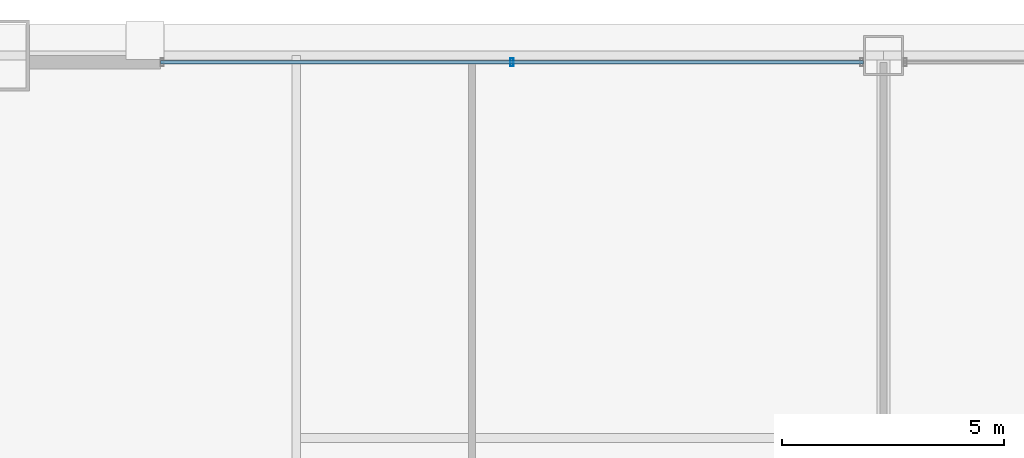
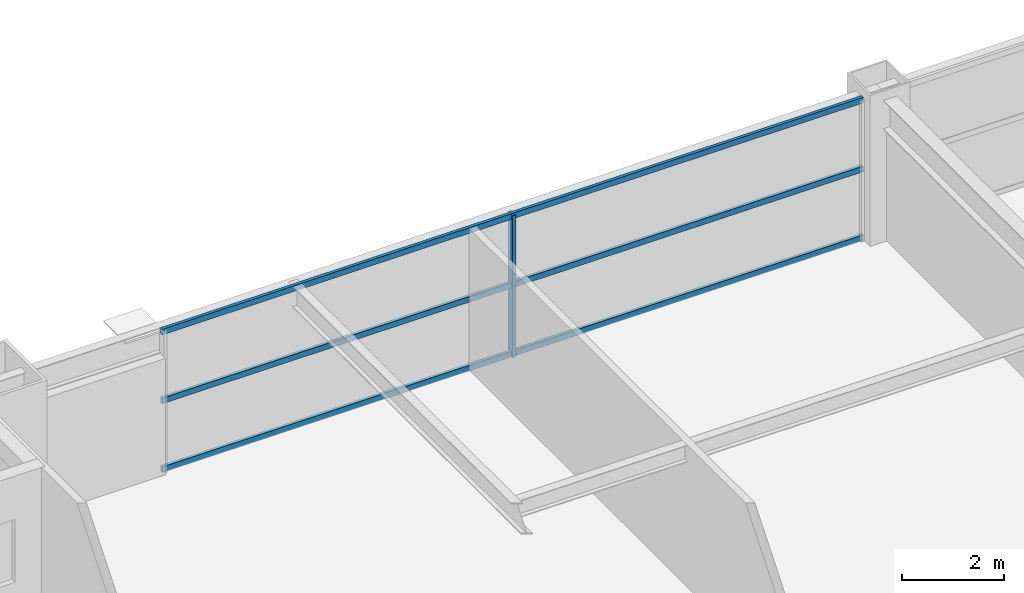
# One storey, part 24 of 37: 5 members, 1 element without a shape of its own.
"""IFC4 building model written with IfcOpenShell, lengths in metres."""

import ifcopenshell
import ifcopenshell.guid

model = None  # the IFC model being written
_history = None  # IfcOwnerHistory: only IFC2X3 demands one
_inside = {}  # id of a spatial element -> (the spatial element, [elements in it])
_under = {}  # id of a project, library or spatial element -> (it, [spatial elements below it])
_declared = {}  # id of a project -> (the project, [libraries it declares])
_typed = {}  # id of a type object -> (the type object, [elements of that type])
_made_of = {}  # id of a material, layer set ... -> (it, [elements and type objects made of it])


def new_model(schema):
    """Start an empty IFC model of exactly this schema.

    Asked for "IFC4X3", IfcOpenShell would pick the latest addendum, in which some entities
    have other attributes; the version numbers below select the first issue.
    IFC2X3 requires an IfcOwnerHistory on every rooted entity: one is made here for all.
    """
    global model, _history
    if schema == "IFC4X3":
        model = ifcopenshell.file(schema_version=(4, 3, 0, 0))
    else:
        model = ifcopenshell.file(schema=schema)
    _inside.clear()
    _under.clear()
    _declared.clear()
    _typed.clear()
    _made_of.clear()
    _history = None
    if model.schema == "IFC2X3":
        org = make("IfcOrganization", Name="unknown")
        user = make(
            "IfcPersonAndOrganization",
            ThePerson=make("IfcPerson", FamilyName="unknown"),
            TheOrganization=org,
        )
        app = make(
            "IfcApplication",
            ApplicationDeveloper=org,
            Version="unknown",
            ApplicationFullName="unknown",
            ApplicationIdentifier="unknown",
        )
        _history = make(
            "IfcOwnerHistory",
            OwningUser=user,
            OwningApplication=app,
            ChangeAction="ADDED",
            CreationDate=0,
        )
    return model


def make(cls, **values):
    """One entity of the class cls with the attributes given. An attribute that is None is left unset."""
    return model.create_entity(
        cls, **{name: value for name, value in values.items() if value is not None}
    )


def rooted(cls, **values):
    """An entity with a GlobalId (a new one), such as an element, a storey or a relation."""
    return make(cls, GlobalId=ifcopenshell.guid.new(), OwnerHistory=_history, **values)


def si_unit(unit_type, name, prefix=None):
    """IfcSIUnit, for example si_unit("LENGTHUNIT", "METRE", prefix="MILLI")."""
    return make("IfcSIUnit", UnitType=unit_type, Prefix=prefix, Name=name)


def assignment(units):
    """IfcUnitAssignment: the units of a project."""
    return None if units is None else make("IfcUnitAssignment", Units=units)


def point(xyz):
    """IfcCartesianPoint."""
    return None if xyz is None else make("IfcCartesianPoint", Coordinates=xyz)


def direction(xyz):
    """IfcDirection."""
    return None if xyz is None else make("IfcDirection", DirectionRatios=xyz)


def frame(location, z_axis=None, x_axis=None):
    """IfcAxis2Placement3D, a coordinate frame: its origin and axes. An axis left out is left unset."""
    return make(
        "IfcAxis2Placement3D",
        Location=point(location),
        Axis=direction(z_axis),
        RefDirection=direction(x_axis),
    )


def frame_2d(location, x_axis=None):
    """IfcAxis2Placement2D, a coordinate frame in the plane: its origin and x axis."""
    return make(
        "IfcAxis2Placement2D", Location=point(location), RefDirection=direction(x_axis)
    )


def origin():
    """The frame at (0, 0, 0) with its axes left unset."""
    return frame((0.0, 0.0, 0.0))


def origin_2d():
    """The frame at (0, 0) in the plane with its x axis left unset."""
    return frame_2d((0.0, 0.0))


def place(relative_to, where):
    """IfcLocalPlacement: puts the frame where relative to a parent placement (None: the world)."""
    return make(
        "IfcLocalPlacement", PlacementRelTo=relative_to, RelativePlacement=where
    )


def context(
    kind, dimensions, precision=None, world=None, true_north=None, identifier=None
):
    """IfcGeometricRepresentationContext, for example the 3D "Model" context."""
    return make(
        "IfcGeometricRepresentationContext",
        ContextIdentifier=identifier,
        ContextType=kind,
        CoordinateSpaceDimension=dimensions,
        Precision=precision,
        WorldCoordinateSystem=world,
        TrueNorth=true_north,
    )


def subcontext(parent, identifier, kind, view, scale=None):
    """IfcGeometricRepresentationSubContext, for example "Body" below "Model"."""
    return make(
        "IfcGeometricRepresentationSubContext",
        ContextIdentifier=identifier,
        ContextType=kind,
        ParentContext=parent,
        TargetScale=scale,
        TargetView=view,
    )


def project(units=None, contexts=None):
    """IfcProject with its units and contexts."""
    return rooted(
        "IfcProject",
        Name="project",
        RepresentationContexts=contexts,
        UnitsInContext=assignment(units),
    )


def spatial(cls, under=None, at=None, **own):
    """A site, building, storey or space (cls), placed at a placement, below another one or the project."""
    s = rooted(cls, ObjectPlacement=at, **own)
    if under is not None:
        _under.setdefault(under.id(), (under, []))[1].append(s)
    return s


def profile(cls, at=None, kind="AREA", **sizes):
    """A parametric profile (cls). Its sizes go by their IFC names, for example OverallWidth=200.0."""
    return make(cls, ProfileType=kind, Position=at, **sizes)


def hollow_rectangle(**sizes):
    """IfcRectangleHollowProfileDef."""
    return profile("IfcRectangleHollowProfileDef", **sizes)


def extrude(swept, where, along, depth):
    """IfcExtrudedAreaSolid: the profile swept, set in the frame where, extruded along a direction by depth."""
    return make(
        "IfcExtrudedAreaSolid",
        SweptArea=swept,
        Position=where,
        ExtrudedDirection=direction(along),
        Depth=depth,
    )


def shape(context_of_items, identifier, shape_type, items):
    """IfcShapeRepresentation: the items that make up one representation, for example the "Body"."""
    return make(
        "IfcShapeRepresentation",
        ContextOfItems=context_of_items,
        RepresentationIdentifier=identifier,
        RepresentationType=shape_type,
        Items=items,
    )


def source(mapping_origin, context_of_items, identifier, shape_type, items):
    """IfcRepresentationMap: a shape defined once, which mapped items show again and again."""
    return make(
        "IfcRepresentationMap",
        MappingOrigin=mapping_origin,
        MappedRepresentation=shape(context_of_items, identifier, shape_type, items),
    )


def transform(
    local_origin,
    x_axis=None,
    y_axis=None,
    z_axis=None,
    scale=None,
    scale2=None,
    scale3=None,
    uniform=True,
):
    """IfcCartesianTransformationOperator3D, or its non-uniform kind. x_axis, y_axis, z_axis: its Axis1, 2, 3."""
    if uniform:
        return make(
            "IfcCartesianTransformationOperator3D",
            Axis1=direction(x_axis),
            Axis2=direction(y_axis),
            LocalOrigin=point(local_origin),
            Scale=scale,
            Axis3=direction(z_axis),
        )
    return make(
        "IfcCartesianTransformationOperator3DnonUniform",
        Axis1=direction(x_axis),
        Axis2=direction(y_axis),
        LocalOrigin=point(local_origin),
        Scale=scale,
        Axis3=direction(z_axis),
        Scale2=scale2,
        Scale3=scale3,
    )


def mapped(mapping_source, mapping_target):
    """IfcMappedItem: shows the shape of a source again, moved by a transform."""
    return make(
        "IfcMappedItem", MappingSource=mapping_source, MappingTarget=mapping_target
    )


def material(Name=None, Category=None):
    """IfcMaterial."""
    return make("IfcMaterial", Name=Name, Category=Category)


def layer(
    of_material, thickness, ventilated=None, Name=None, Category=None, Priority=None
):
    """IfcMaterialLayer: one layer of a wall or slab, of a material (None: an air gap)."""
    return make(
        "IfcMaterialLayer",
        Material=of_material,
        LayerThickness=thickness,
        IsVentilated=ventilated,
        Name=Name,
        Category=Category,
        Priority=Priority,
    )


def layer_set(layers, Name=None):
    """IfcMaterialLayerSet."""
    return make("IfcMaterialLayerSet", MaterialLayers=layers, LayerSetName=Name)


def material_profile(
    of_material, cross_section, Name=None, Category=None, Priority=None
):
    """IfcMaterialProfile: a cross section and its material."""
    return make(
        "IfcMaterialProfile",
        Name=Name,
        Material=of_material,
        Profile=cross_section,
        Priority=Priority,
        Category=Category,
    )


def profile_set(profiles, Name=None, composite=None):
    """IfcMaterialProfileSet."""
    return make(
        "IfcMaterialProfileSet",
        Name=Name,
        MaterialProfiles=profiles,
        CompositeProfile=composite,
    )


def made_of(thing, what):
    """Note that an element or type object is made of a material, layer set ...; save() writes the relation."""
    if what is not None:
        _made_of.setdefault(what.id(), (what, []))[1].append(thing)
    return thing


def type_object(cls, material=None, **own):
    """A type object (cls), such as IfcWallType, which elements share."""
    return made_of(rooted(cls, **own), material)


def element(
    cls,
    number,
    at=None,
    inside=None,
    cuts=None,
    type_object=None,
    material=None,
    context=None,
    identifier="Body",
    shape_type=None,
    held_by="IfcProductDefinitionShape",
    body=None,
    shapes=None,
    **own,
):
    """One element of the class cls, such as IfcWall. Its Tag is "e" and its number.

    at: its placement. inside: the storey or other place that contains it. cuts: it is an
    opening in that element (IfcRelVoidsElement). A single representation is given by context,
    identifier, shape_type and body (its items); several are given by shapes. held_by: the class
    of the entity that holds the representations. save() writes the other relations.
    """
    e = rooted(cls, Tag="e%d" % number, ObjectPlacement=at, **own)
    if body is not None:
        shapes = [shape(context, identifier, shape_type, body)]
    if shapes is not None:
        e.Representation = make(held_by, Representations=shapes)
    if inside is not None:
        _inside.setdefault(inside.id(), (inside, []))[1].append(e)
    if cuts is not None:
        rooted(
            "IfcRelVoidsElement", RelatingBuildingElement=cuts, RelatedOpeningElement=e
        )
    if type_object is not None:
        _typed.setdefault(type_object.id(), (type_object, []))[1].append(e)
    return made_of(e, material)


def aggregate(whole, parts):
    """IfcRelAggregates: a whole, such as a stair, and the parts it consists of."""
    return rooted("IfcRelAggregates", RelatingObject=whole, RelatedObjects=parts)


def save(model, path):
    """Write the relations noted so far, then the file.

    IfcRelAggregates (storeys below a building ...), IfcRelContainedInSpatialStructure (elements
    in a storey), IfcRelDefinesByType, IfcRelAssociatesMaterial and IfcRelDeclares: one each for
    every whole, place, type object, material and project.
    """
    for whole, parts in _under.values():
        aggregate(whole, parts)
    for where, things in _inside.values():
        rooted(
            "IfcRelContainedInSpatialStructure",
            RelatedElements=things,
            RelatingStructure=where,
        )
    for kind, things in _typed.values():
        rooted("IfcRelDefinesByType", RelatedObjects=things, RelatingType=kind)
    for what, things in _made_of.values():
        rooted("IfcRelAssociatesMaterial", RelatedObjects=things, RelatingMaterial=what)
    for by, libraries in _declared.values():
        rooted("IfcRelDeclares", RelatingContext=by, RelatedDefinitions=libraries)
    model.write(path)


model = new_model("IFC4")

# Units and contexts
model_context = context("Model", 3, precision=1e-05, world=origin(), true_north=direction((0.0, 1.0)))
body_context = subcontext(model_context, "Body", "Model", "MODEL_VIEW")
ifc_project = project(units=[si_unit("LENGTHUNIT", "METRE"), si_unit("AREAUNIT", "SQUARE_METRE"), si_unit("VOLUMEUNIT", "CUBIC_METRE"), si_unit("PLANEANGLEUNIT", "RADIAN"), si_unit("MASSUNIT", "GRAM", prefix="KILO"), si_unit("THERMODYNAMICTEMPERATUREUNIT", "KELVIN"), si_unit("POWERUNIT", "WATT")], contexts=[model_context])

# Site, building, storey
site_placement = place(None, origin())
site = spatial("IfcSite", under=ifc_project, at=site_placement, CompositionType="ELEMENT")
building_placement = place(site_placement, origin())
building = spatial("IfcBuilding", under=site, at=building_placement, Name="Yuzanri Waterfront Tower", CompositionType="ELEMENT")
storey_placement = place(building_placement, frame((0.0, 0.0, 104.60009765625)))
storey = spatial("IfcBuildingStorey", under=building, at=storey_placement, Name="L27", CompositionType="ELEMENT", Elevation=104.60009765625)

# Curtain wall, members
ifc_material_1 = material(Name="Anodized Architectural Bronze", Category="metal")
ifc_layer = layer(ifc_material_1, 0.159912109375)
ifc_layer_set = layer_set([ifc_layer], Name="Anodized Architectural Bronze")
curtain_wall_type = type_object("IfcCurtainWallType", Name="Anodized Bronze Hotel Upper-Tier Solar-Control Unitized Curtain Wall 7800", PredefinedType="NOTDEFINED", material=ifc_layer_set)
curtain_wall_placement = place(storey_placement, origin())
curtain_wall = element("IfcCurtainWall", 1, at=curtain_wall_placement, inside=storey, type_object=curtain_wall_type, Name="L27 Curtain Wall CW-L27-NL", PredefinedType="NOTDEFINED")
ifc_material_2 = material(Name="Anodized Architectural Bronze", Category="metal")
ifc_material_profile_1 = material_profile(ifc_material_2, hollow_rectangle(XDim=0.070068359375, YDim=0.179931640625, WallThickness=0.00390625, at=origin_2d()), Name="CWM 70x180")
ifc_profile_set_1 = profile_set([ifc_material_profile_1], Name="Anodized Architectural Bronze")
member_type_1 = type_object("IfcMemberType", Name="Anodized Bronze Standard Curtain-Wall Mullion 70x180", PredefinedType="MULLION", material=ifc_profile_set_1)
shared_shape_1 = source(origin(), body_context, "Body", "SweptSolid", [
    extrude(hollow_rectangle(XDim=0.070068359375, YDim=0.179931640625, WallThickness=0.00390625, at=origin_2d()), origin(), (0.0, 0.0, 1.0), 1.68798828125),
])
member_1_placement = place(storey_placement, frame((28.64990234375, 49.25, 0.0), z_axis=(0.0, 0.0, 1.0), x_axis=(1.0, 0.0, 0.0)))
member_1 = element("IfcMember", 2, at=member_1_placement, type_object=member_type_1, Name="CW-L27-NL Lower Mullion 01", PredefinedType="MULLION", context=body_context, shape_type="MappedRepresentation", body=[
    mapped(shared_shape_1, transform((0.0, 0.0, 0.0), scale=1.0)),
])
member_2_placement = place(storey_placement, frame((28.64990234375, 49.25, 1.69189453125), z_axis=(0.0, 0.0, 1.0), x_axis=(1.0, 0.0, 0.0)))
member_2 = element("IfcMember", 3, at=member_2_placement, type_object=member_type_1, Name="CW-L27-NL Upper Mullion 01", PredefinedType="MULLION", context=body_context, shape_type="MappedRepresentation", body=[
    mapped(shared_shape_1, transform((0.0, 0.0, 0.0), scale=1.0)),
])
ifc_material_3 = material(Name="Anodized Architectural Bronze", Category="metal")
ifc_material_profile_2 = material_profile(ifc_material_3, hollow_rectangle(XDim=0.070068359375, YDim=0.135009765625, WallThickness=0.00341796875, at=origin_2d()), Name="CWT 70x135")
ifc_profile_set_2 = profile_set([ifc_material_profile_2], Name="Anodized Architectural Bronze")
member_type_2 = type_object("IfcMemberType", Name="Anodized Bronze Standard Curtain-Wall Transom 70x135", PredefinedType="USERDEFINED", material=ifc_profile_set_2)
shared_shape_2 = source(origin(), body_context, "Body", "SweptSolid", [
    extrude(hollow_rectangle(XDim=0.070068359375, YDim=0.135009765625, WallThickness=0.00341796875, at=origin_2d()), origin(), (0.0, 0.0, 1.0), 15.800048828125),
])
member_3_placement = place(storey_placement, frame((20.75, 49.25, 0.0498046875), z_axis=(1.0, 0.0, 0.0), x_axis=(0.0, 1.0, 0.0)))
member_3 = element("IfcMember", 4, at=member_3_placement, type_object=member_type_2, Name="CW-L27-NL Transom 1", ObjectType="TRANSOM", PredefinedType="USERDEFINED", context=body_context, shape_type="MappedRepresentation", body=[
    mapped(shared_shape_2, transform((0.0, 0.0, 0.0), scale=1.0)),
])
member_4_placement = place(storey_placement, frame((20.75, 49.25, 1.68994140625), z_axis=(1.0, 0.0, 0.0), x_axis=(0.0, 1.0, 0.0)))
member_4 = element("IfcMember", 5, at=member_4_placement, type_object=member_type_2, Name="CW-L27-NL Transom 2", ObjectType="TRANSOM", PredefinedType="USERDEFINED", context=body_context, shape_type="MappedRepresentation", body=[
    mapped(shared_shape_2, transform((0.0, 0.0, 0.0), scale=1.0)),
])
member_5_placement = place(storey_placement, frame((20.75, 49.25, 3.329833984375), z_axis=(1.0, 0.0, 0.0), x_axis=(0.0, 1.0, 0.0)))
member_5 = element("IfcMember", 6, at=member_5_placement, type_object=member_type_2, Name="CW-L27-NL Transom 3", ObjectType="TRANSOM", PredefinedType="USERDEFINED", context=body_context, shape_type="MappedRepresentation", body=[
    mapped(shared_shape_2, transform((0.0, 0.0, 0.0), scale=1.0)),
])
aggregate(curtain_wall, [member_1, member_2, member_3, member_4, member_5])

save(model, "model.ifc")
